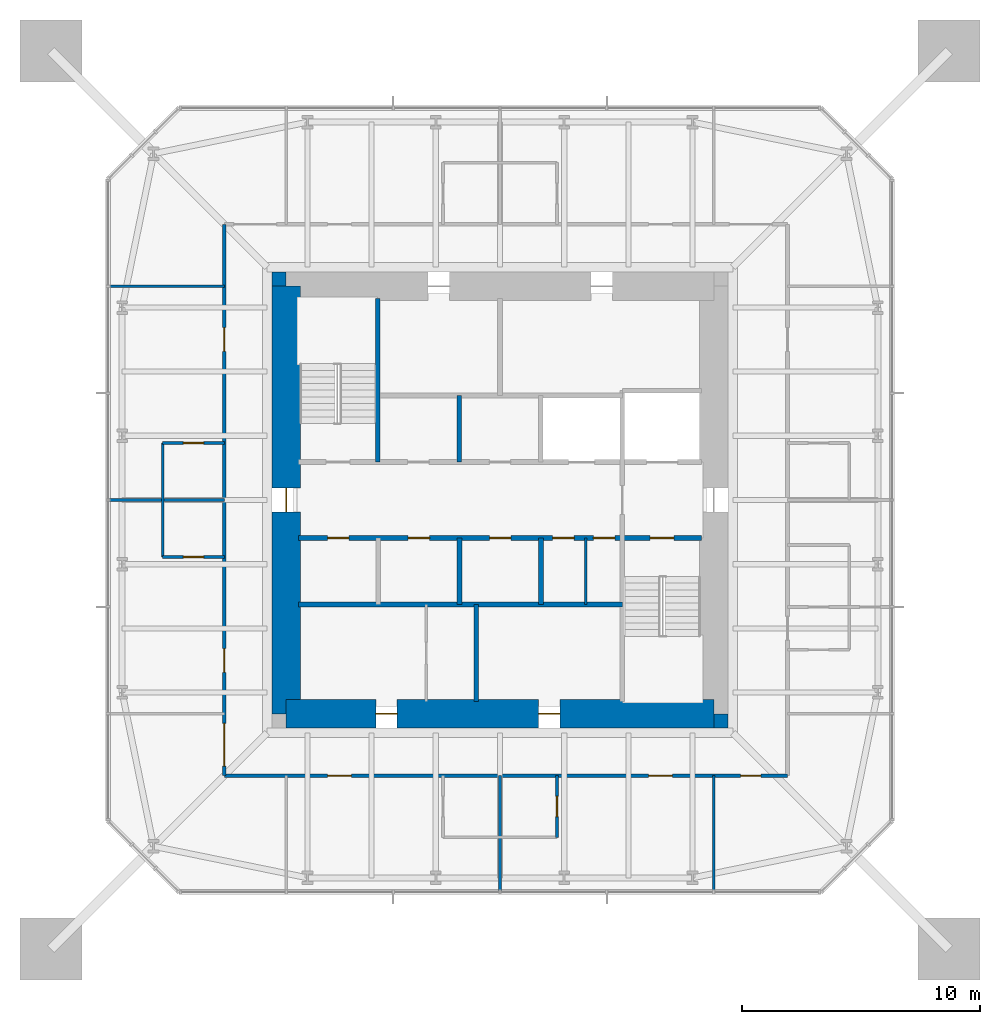
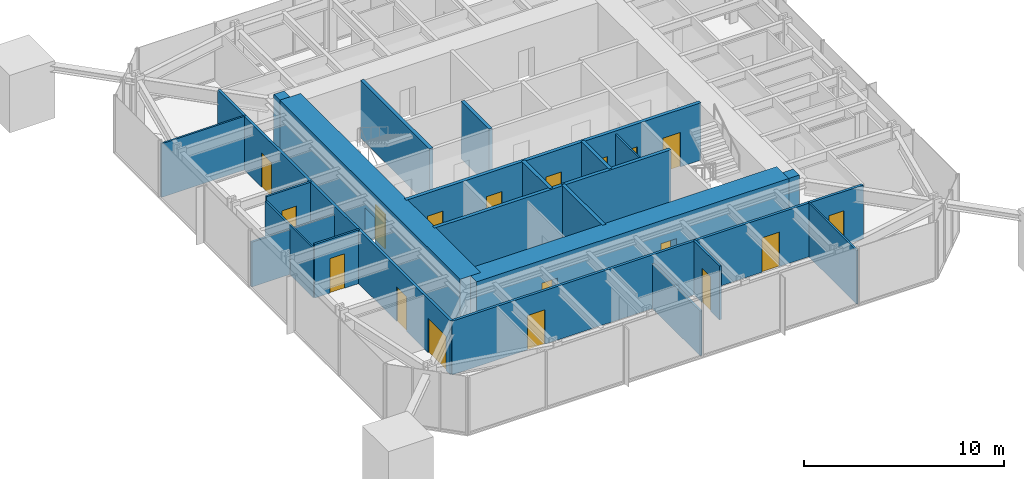
# One storey, part 6 of 9: 22 walls, 18 doors, 18 openings.
"""IFC4 building model written with IfcOpenShell, lengths in metres."""

from ifc_helpers import new_model, si_unit, direction, frame, frame_2d, origin, place, context, subcontext, project, spatial, rectangle, extrude, material, layer, layer_set, type_object, element, fill, save


model = new_model("IFC4")

# Units and contexts
model_context = context("Model", 3, precision=1e-05, world=origin(), true_north=direction((0.0, 1.0)))
body_context = subcontext(model_context, "Body", "Model", "MODEL_VIEW")
ifc_project = project(units=[si_unit("LENGTHUNIT", "METRE"), si_unit("AREAUNIT", "SQUARE_METRE"), si_unit("VOLUMEUNIT", "CUBIC_METRE"), si_unit("PLANEANGLEUNIT", "RADIAN"), si_unit("MASSUNIT", "GRAM", prefix="KILO")], contexts=[model_context])

# Site, building, storey
site_placement = place(None, origin())
site = spatial("IfcSite", under=ifc_project, at=site_placement, CompositionType="ELEMENT")
building_placement = place(site_placement, origin())
building = spatial("IfcBuilding", under=site, at=building_placement, Name="Iwan Alto Co-Living Towers", CompositionType="ELEMENT")
storey_placement = place(building_placement, frame((0.0, 0.0, 250.0)))
storey = spatial("IfcBuildingStorey", under=building, at=storey_placement, Name="L68", CompositionType="ELEMENT", Elevation=250.0)

# Wall, openings, doors
ifc_material_1 = material(Name="Gypsum board")
ifc_layer_1 = layer(ifc_material_1, 0.02490234375, Name="Board", Category="Finish")
ifc_material_2 = material(Name="Steel ASTM A1003 ST33H cold-formed studs", Category="steel")
ifc_layer_2 = layer(ifc_material_2, 0.10009765625, Name="Studs", Category="Framing")
ifc_layer_3 = layer(ifc_material_1, 0.02490234375, Name="Board", Category="Finish")
ifc_layer_set_1 = layer_set([ifc_layer_1, ifc_layer_2, ifc_layer_3], Name="CORRIDOR WALL 150")
wall_type_1 = type_object("IfcWallType", Name="CORRIDOR WALL 150", PredefinedType="PARTITIONING", material=ifc_layer_set_1)
wall_1_placement = place(storey_placement, frame((-11.60009765625, -11.60009765625, 0.0), z_axis=(0.0, 0.0, 1.0), x_axis=(1.0, 0.0, 0.0)))
wall_1 = element("IfcWall", 1, at=wall_1_placement, inside=storey, type_object=wall_type_1, Name="Partition L68", PredefinedType="PARTITIONING", context=body_context, shape_type="SweptSolid", body=[
    extrude(rectangle(XDim=23.7001953125, YDim=0.14990234375, at=frame_2d((11.85009765625, 0.0))), origin(), (0.0, 0.0, 1.0), 3.27001953125),
])
opening_1_placement = place(wall_1_placement, frame((4.35009765625, 0.0, 0.0)))
opening_1 = element("IfcOpeningElement", 2, at=opening_1_placement, cuts=wall_1, Name="Opening D3", PredefinedType="OPENING", context=body_context, shape_type="SweptSolid", body=[
    extrude(rectangle(XDim=1.0, YDim=2.10009765625, at=frame_2d((0.5, 1.050048828125))), frame((0.0, 0.0849609375, 0.0), z_axis=(0.0, -1.0, 0.0), x_axis=(1.0, 0.0, 0.0)), (0.0, 0.0, 1.0), 0.169921875),
])
opening_2_placement = place(wall_1_placement, frame((17.85009765625, 0.0, 0.0)))
opening_2 = element("IfcOpeningElement", 3, at=opening_2_placement, cuts=wall_1, Name="Opening D3", PredefinedType="OPENING", context=body_context, shape_type="SweptSolid", body=[
    extrude(rectangle(XDim=1.0, YDim=2.10009765625, at=frame_2d((0.5, 1.050048828125))), frame((0.0, 0.0849609375, 0.0), z_axis=(0.0, -1.0, 0.0), x_axis=(1.0, 0.0, 0.0)), (0.0, 0.0, 1.0), 0.169921875),
])
opening_3_placement = place(wall_1_placement, frame((21.72509765625, 0.0, 0.0)))
opening_3 = element("IfcOpeningElement", 4, at=opening_3_placement, cuts=wall_1, Name="Opening D2", PredefinedType="OPENING", context=body_context, shape_type="SweptSolid", body=[
    extrude(rectangle(XDim=0.85009765625, YDim=2.10009765625, at=frame_2d((0.425048828125, 1.050048828125))), frame((0.0, 0.0849609375, 0.0), z_axis=(0.0, -1.0, 0.0), x_axis=(1.0, 0.0, 0.0)), (0.0, 0.0, 1.0), 0.169921875),
])
ifc_material_3 = material(Name="Steel frame with timber leaf", Category="steel")
door_type_1 = type_object("IfcDoorType", Name="FLAT ENTRANCE DOOR FD30S 1000X2100", OperationType="SINGLE_SWING_LEFT", PredefinedType="DOOR", material=ifc_material_3)
door_1_placement = place(opening_1_placement, frame((1.0, 0.0, 0.0), z_axis=(0.0, 0.0, 1.0), x_axis=(-1.0, 0.0, 0.0)))
door_1 = element("IfcDoor", 5, at=door_1_placement, inside=storey, type_object=door_type_1, Name="Studio door L68", OperationType="SINGLE_SWING_RIGHT", OverallHeight=2.10009765625, OverallWidth=1.0, PredefinedType="DOOR", context=body_context, shape_type="SweptSolid", body=[
    extrude(rectangle(XDim=1.0, YDim=2.10009765625, at=frame_2d((0.5, 1.050048828125))), frame((0.0, 0.02490234375, 0.0), z_axis=(0.0, -1.0, 0.0), x_axis=(1.0, 0.0, 0.0)), (0.0, 0.0, 1.0), 0.050048828125),
])
fill(opening_1, door_1)
door_2_placement = place(opening_2_placement, frame((1.0, 0.0, 0.0), z_axis=(0.0, 0.0, 1.0), x_axis=(-1.0, 0.0, 0.0)))
door_2 = element("IfcDoor", 6, at=door_2_placement, inside=storey, type_object=door_type_1, Name="Studio door L68", OperationType="SINGLE_SWING_LEFT", OverallHeight=2.10009765625, OverallWidth=1.0, PredefinedType="DOOR", context=body_context, shape_type="SweptSolid", body=[
    extrude(rectangle(XDim=1.0, YDim=2.10009765625, at=frame_2d((0.5, 1.050048828125))), frame((0.0, 0.02490234375, 0.0), z_axis=(0.0, -1.0, 0.0), x_axis=(1.0, 0.0, 0.0)), (0.0, 0.0, 1.0), 0.050048828125),
])
fill(opening_2, door_2)
ifc_material_4 = material(Name="Timber leaf in steel frame", Category="steel")
door_type_2 = type_object("IfcDoorType", Name="ROOM DOOR 850X2100", OperationType="SINGLE_SWING_LEFT", PredefinedType="DOOR", material=ifc_material_4)
door_3_placement = place(opening_3_placement, frame((0.85009765625, 0.0, 0.0), z_axis=(0.0, 0.0, 1.0), x_axis=(-1.0, 0.0, 0.0)))
door_3 = element("IfcDoor", 7, at=door_3_placement, inside=storey, type_object=door_type_2, Name="Shared kitchen and lounge door L68", OperationType="SINGLE_SWING_RIGHT", OverallHeight=2.10009765625, OverallWidth=0.85009765625, PredefinedType="DOOR", context=body_context, shape_type="SweptSolid", body=[
    extrude(rectangle(XDim=0.85009765625, YDim=2.10009765625, at=frame_2d((0.425048828125, 1.050048828125))), frame((0.0, 0.02490234375, 0.0), z_axis=(0.0, -1.0, 0.0), x_axis=(1.0, 0.0, 0.0)), (0.0, 0.0, 1.0), 0.050048828125),
])
fill(opening_3, door_3)

wall_2_placement = place(storey_placement, frame((-11.60009765625, -11.60009765625, 0.0), z_axis=(0.0, 0.0, 1.0), x_axis=(0.0, 1.0, 0.0)))
wall_2 = element("IfcWall", 8, at=wall_2_placement, inside=storey, type_object=wall_type_1, Name="Partition L68", PredefinedType="PARTITIONING", context=body_context, shape_type="SweptSolid", body=[
    extrude(rectangle(XDim=23.2001953125, YDim=0.14990234375, at=frame_2d((11.60009765625, 0.0))), origin(), (0.0, 0.0, 1.0), 3.27001953125),
])
opening_4_placement = place(wall_2_placement, frame((17.85009765625, 0.0, 0.0)))
opening_4 = element("IfcOpeningElement", 9, at=opening_4_placement, cuts=wall_2, Name="Opening D3", PredefinedType="OPENING", context=body_context, shape_type="SweptSolid", body=[
    extrude(rectangle(XDim=1.0, YDim=2.10009765625, at=frame_2d((0.5, 1.050048828125))), frame((0.0, 0.0849609375, 0.0), z_axis=(0.0, -1.0, 0.0), x_axis=(1.0, 0.0, 0.0)), (0.0, 0.0, 1.0), 0.169921875),
])
opening_5_placement = place(wall_2_placement, frame((4.35009765625, 0.0, 0.0)))
opening_5 = element("IfcOpeningElement", 10, at=opening_5_placement, cuts=wall_2, Name="Opening D3", PredefinedType="OPENING", context=body_context, shape_type="SweptSolid", body=[
    extrude(rectangle(XDim=1.0, YDim=2.10009765625, at=frame_2d((0.5, 1.050048828125))), frame((0.0, 0.0849609375, 0.0), z_axis=(0.0, -1.0, 0.0), x_axis=(1.0, 0.0, 0.0)), (0.0, 0.0, 1.0), 0.169921875),
])
opening_6_placement = place(wall_2_placement, frame((0.39990234375, 0.0, 0.0)))
opening_6 = element("IfcOpeningElement", 11, at=opening_6_placement, cuts=wall_2, Name="Opening D9", PredefinedType="OPENING", context=body_context, shape_type="SweptSolid", body=[
    extrude(rectangle(XDim=1.800048828125, YDim=2.10009765625, at=frame_2d((0.89990234375, 1.050048828125))), frame((0.0, 0.0849609375, 0.0), z_axis=(0.0, -1.0, 0.0), x_axis=(1.0, 0.0, 0.0)), (0.0, 0.0, 1.0), 0.169921875),
])
door_4_placement = place(opening_4_placement, origin())
door_4 = element("IfcDoor", 12, at=door_4_placement, inside=storey, type_object=door_type_1, Name="Studio door L68", OperationType="SINGLE_SWING_RIGHT", OverallHeight=2.10009765625, OverallWidth=1.0, PredefinedType="DOOR", context=body_context, shape_type="SweptSolid", body=[
    extrude(rectangle(XDim=1.0, YDim=2.10009765625, at=frame_2d((0.5, 1.050048828125))), frame((0.0, 0.02490234375, 0.0), z_axis=(0.0, -1.0, 0.0), x_axis=(1.0, 0.0, 0.0)), (0.0, 0.0, 1.0), 0.050048828125),
])
fill(opening_4, door_4)
door_5_placement = place(opening_5_placement, origin())
door_5 = element("IfcDoor", 13, at=door_5_placement, inside=storey, type_object=door_type_1, Name="Studio door L68", OperationType="SINGLE_SWING_LEFT", OverallHeight=2.10009765625, OverallWidth=1.0, PredefinedType="DOOR", context=body_context, shape_type="SweptSolid", body=[
    extrude(rectangle(XDim=1.0, YDim=2.10009765625, at=frame_2d((0.5, 1.050048828125))), frame((0.0, 0.02490234375, 0.0), z_axis=(0.0, -1.0, 0.0), x_axis=(1.0, 0.0, 0.0)), (0.0, 0.0, 1.0), 0.050048828125),
])
fill(opening_5, door_5)
ifc_material_5 = material(Name="Steel frame with timber leaf", Category="steel")
door_type_3 = type_object("IfcDoorType", Name="LOUNGE DOOR FD30S 1800X2100", OperationType="DOUBLE_DOOR_SINGLE_SWING", PredefinedType="DOOR", material=ifc_material_5)
door_6_placement = place(opening_6_placement, origin())
door_6 = element("IfcDoor", 14, at=door_6_placement, inside=storey, type_object=door_type_3, Name="Courtyard lounge door L68", OperationType="DOUBLE_DOOR_SINGLE_SWING", OverallHeight=2.10009765625, OverallWidth=1.800048828125, PredefinedType="DOOR", context=body_context, shape_type="SweptSolid", body=[
    extrude(rectangle(XDim=1.800048828125, YDim=2.10009765625, at=frame_2d((0.89990234375, 1.050048828125))), frame((0.0, 0.02490234375, 0.0), z_axis=(0.0, -1.0, 0.0), x_axis=(1.0, 0.0, 0.0)), (0.0, 0.0, 1.0), 0.050048828125),
])
fill(opening_6, door_6)

# Walls
ifc_layer_4 = layer(ifc_material_1, 0.012451171875, Name="Board", Category="Finish")
ifc_layer_5 = layer(ifc_material_2, 0.074951171875, Name="Studs", Category="Framing")
ifc_layer_6 = layer(ifc_material_1, 0.012451171875, Name="Board", Category="Finish")
ifc_layer_set_2 = layer_set([ifc_layer_4, ifc_layer_5, ifc_layer_6], Name="PARTITION 100")
wall_type_2 = type_object("IfcWallType", Name="PARTITION 100", PredefinedType="PARTITIONING", material=ifc_layer_set_2)
for number, where, z_axis, x_axis, name in (
    (15, (-16.43994140625, 9.0, 0.0), (0.0, 0.0, 1.0), (1.0, 0.0, 0.0), "Partition L68"),
    (16, (9.0, -16.43994140625, 0.0), (0.0, 0.0, 1.0), (0.0, 1.0, 0.0), "Partition L68"),
):
    element("IfcWall", number, at=place(storey_placement, frame(where, z_axis=z_axis, x_axis=x_axis)), inside=storey, type_object=wall_type_2, Name=name, PredefinedType="PARTITIONING", context=body_context, shape_type="SweptSolid", body=[
        extrude(rectangle(XDim=4.83984375, YDim=0.10009765625, at=frame_2d((2.419921875, 0.0))), origin(), (0.0, 0.0, 1.0), 3.27001953125),
    ])
wall_3_placement = place(storey_placement, frame((3.60888671875, -4.39990234375, 0.0), z_axis=(0.0, 0.0, 1.0), x_axis=(0.0, 1.0, 0.0)))
element("IfcWall", 17, at=wall_3_placement, inside=storey, type_object=wall_type_2, Name="Partition L68", PredefinedType="PARTITIONING", context=body_context, shape_type="SweptSolid", body=[
    extrude(rectangle(XDim=2.7998046875, YDim=0.10009765625, at=frame_2d((1.39990234375, 0.0))), origin(), (0.0, 0.0, 1.0), 3.300048828125),
])
wall_4_placement = place(storey_placement, frame((-14.199951171875, -2.39990234375, 0.0), z_axis=(0.0, 0.0, 1.0), x_axis=(0.0, 1.0, 0.0)))
element("IfcWall", 18, at=wall_4_placement, inside=storey, type_object=wall_type_2, Name="Partition L68", PredefinedType="PARTITIONING", context=body_context, shape_type="SweptSolid", body=[
    extrude(rectangle(XDim=4.7998046875, YDim=0.10009765625, at=frame_2d((2.39990234375, 0.0))), origin(), (0.0, 0.0, 1.0), 3.0),
])
ifc_material_6 = material(Name="Concrete f'c 70 MPa", Category="concrete")
ifc_layer_7 = layer(ifc_material_6, 0.199951171875)
ifc_layer_set_3 = layer_set([ifc_layer_7], Name="SHAFT WALL 200")
wall_type_3 = type_object("IfcWallType", Name="SHAFT WALL 200", PredefinedType="SOLIDWALL", material=ifc_layer_set_3)
wall_5_placement = place(storey_placement, frame((-8.489990234375, -4.39990234375, 0.0), z_axis=(0.0, 0.0, 1.0), x_axis=(1.0, 0.0, 0.0)))
element("IfcWall", 19, at=wall_5_placement, inside=storey, type_object=wall_type_3, Name="Shaft wall L68", PredefinedType="SOLIDWALL", context=body_context, shape_type="SweptSolid", body=[
    extrude(rectangle(XDim=13.639892578125, YDim=0.199951171875, at=frame_2d((6.81982421875, 0.0))), origin(), (0.0, 0.0, 1.0), 3.5),
])

# Wall, openings, doors
wall_6_placement = place(storey_placement, frame((-8.489990234375, -1.60009765625, 0.0), z_axis=(0.0, 0.0, 1.0), x_axis=(1.0, 0.0, 0.0)))
wall_6 = element("IfcWall", 20, at=wall_6_placement, inside=storey, type_object=wall_type_3, Name="Shaft wall L68", PredefinedType="SOLIDWALL", context=body_context, shape_type="SweptSolid", body=[
    extrude(rectangle(XDim=16.97998046875, YDim=0.199951171875, at=frame_2d((8.489990234375, 0.0))), origin(), (0.0, 0.0, 1.0), 3.5),
])
opening_7_placement = place(wall_6_placement, frame((14.81005859375, 0.0, 0.0)))
opening_7 = element("IfcOpeningElement", 21, at=opening_7_placement, cuts=wall_6, Name="Opening D5", PredefinedType="OPENING", context=body_context, shape_type="SweptSolid", body=[
    extrude(rectangle(XDim=1.0, YDim=2.10009765625, at=frame_2d((0.5, 1.050048828125))), frame((0.0, 0.10986328125, 0.0), z_axis=(0.0, -1.0, 0.0), x_axis=(1.0, 0.0, 0.0)), (0.0, 0.0, 1.0), 0.219970703125),
])
opening_8_placement = place(wall_6_placement, frame((1.23193359375, 0.0, 0.0)))
opening_8 = element("IfcOpeningElement", 22, at=opening_8_placement, cuts=wall_6, Name="Opening D15", PredefinedType="OPENING", context=body_context, shape_type="SweptSolid", body=[
    extrude(rectangle(XDim=0.89990234375, YDim=2.10009765625, at=frame_2d((0.449951171875, 1.050048828125))), frame((0.0, 0.10986328125, 0.0), z_axis=(0.0, -1.0, 0.0), x_axis=(1.0, 0.0, 0.0)), (0.0, 0.0, 1.0), 0.219970703125),
])
opening_9_placement = place(wall_6_placement, frame((4.626953125, 0.0, 0.0)))
opening_9 = element("IfcOpeningElement", 23, at=opening_9_placement, cuts=wall_6, Name="Opening D15", PredefinedType="OPENING", context=body_context, shape_type="SweptSolid", body=[
    extrude(rectangle(XDim=0.89990234375, YDim=2.10009765625, at=frame_2d((0.449951171875, 1.050048828125))), frame((0.0, 0.10986328125, 0.0), z_axis=(0.0, -1.0, 0.0), x_axis=(1.0, 0.0, 0.0)), (0.0, 0.0, 1.0), 0.219970703125),
])
opening_10_placement = place(wall_6_placement, frame((8.052001953125, 0.0, 0.0)))
opening_10 = element("IfcOpeningElement", 24, at=opening_10_placement, cuts=wall_6, Name="Opening D15", PredefinedType="OPENING", context=body_context, shape_type="SweptSolid", body=[
    extrude(rectangle(XDim=0.89990234375, YDim=2.10009765625, at=frame_2d((0.449951171875, 1.050048828125))), frame((0.0, 0.10986328125, 0.0), z_axis=(0.0, -1.0, 0.0), x_axis=(1.0, 0.0, 0.0)), (0.0, 0.0, 1.0), 0.219970703125),
])
opening_11_placement = place(wall_6_placement, frame((12.419921875, 0.0, 0.0)))
opening_11 = element("IfcOpeningElement", 25, at=opening_11_placement, cuts=wall_6, Name="Opening D15", PredefinedType="OPENING", context=body_context, shape_type="SweptSolid", body=[
    extrude(rectangle(XDim=0.89990234375, YDim=2.10009765625, at=frame_2d((0.449951171875, 1.050048828125))), frame((0.0, 0.10986328125, 0.0), z_axis=(0.0, -1.0, 0.0), x_axis=(1.0, 0.0, 0.0)), (0.0, 0.0, 1.0), 0.219970703125),
])
opening_12_placement = place(wall_6_placement, frame((10.70703125, 0.0, 0.0)))
opening_12 = element("IfcOpeningElement", 26, at=opening_12_placement, cuts=wall_6, Name="Opening D15", PredefinedType="OPENING", context=body_context, shape_type="SweptSolid", body=[
    extrude(rectangle(XDim=0.89990234375, YDim=2.10009765625, at=frame_2d((0.449951171875, 1.050048828125))), frame((0.0, 0.10986328125, 0.0), z_axis=(0.0, -1.0, 0.0), x_axis=(1.0, 0.0, 0.0)), (0.0, 0.0, 1.0), 0.219970703125),
])
ifc_material_7 = material(Name="Steel frame with timber leaf", Category="steel")
door_type_4 = type_object("IfcDoorType", Name="CORE ROOM DOOR FD60S 900X2100", OperationType="SINGLE_SWING_LEFT", PredefinedType="DOOR", material=ifc_material_7)
door_7_placement = place(opening_8_placement, frame((0.89990234375, 0.0, 0.0), z_axis=(0.0, 0.0, 1.0), x_axis=(-1.0, 0.0, 0.0)))
door_7 = element("IfcDoor", 27, at=door_7_placement, inside=storey, type_object=door_type_4, Name="Vending and ice room door L68", OperationType="SINGLE_SWING_LEFT", OverallHeight=2.10009765625, OverallWidth=0.89990234375, PredefinedType="DOOR", context=body_context, shape_type="SweptSolid", body=[
    extrude(rectangle(XDim=0.89990234375, YDim=2.10009765625, at=frame_2d((0.449951171875, 1.050048828125))), frame((0.0, 0.02490234375, 0.0), z_axis=(0.0, -1.0, 0.0), x_axis=(1.0, 0.0, 0.0)), (0.0, 0.0, 1.0), 0.050048828125),
])
fill(opening_8, door_7)
door_8_placement = place(opening_9_placement, frame((0.89990234375, 0.0, 0.0), z_axis=(0.0, 0.0, 1.0), x_axis=(-1.0, 0.0, 0.0)))
door_8 = element("IfcDoor", 28, at=door_8_placement, inside=storey, type_object=door_type_4, Name="Staff WC door L68", OperationType="SINGLE_SWING_RIGHT", OverallHeight=2.10009765625, OverallWidth=0.89990234375, PredefinedType="DOOR", context=body_context, shape_type="SweptSolid", body=[
    extrude(rectangle(XDim=0.89990234375, YDim=2.10009765625, at=frame_2d((0.449951171875, 1.050048828125))), frame((0.0, 0.02490234375, 0.0), z_axis=(0.0, -1.0, 0.0), x_axis=(1.0, 0.0, 0.0)), (0.0, 0.0, 1.0), 0.050048828125),
])
fill(opening_9, door_8)
door_9_placement = place(opening_10_placement, frame((0.89990234375, 0.0, 0.0), z_axis=(0.0, 0.0, 1.0), x_axis=(-1.0, 0.0, 0.0)))
door_9 = element("IfcDoor", 29, at=door_9_placement, inside=storey, type_object=door_type_4, Name="Comms room door L68", OperationType="SINGLE_SWING_RIGHT", OverallHeight=2.10009765625, OverallWidth=0.89990234375, PredefinedType="DOOR", context=body_context, shape_type="SweptSolid", body=[
    extrude(rectangle(XDim=0.89990234375, YDim=2.10009765625, at=frame_2d((0.449951171875, 1.050048828125))), frame((0.0, 0.02490234375, 0.0), z_axis=(0.0, -1.0, 0.0), x_axis=(1.0, 0.0, 0.0)), (0.0, 0.0, 1.0), 0.050048828125),
])
fill(opening_10, door_9)
door_10_placement = place(opening_11_placement, frame((0.89990234375, 0.0, 0.0), z_axis=(0.0, 0.0, 1.0), x_axis=(-1.0, 0.0, 0.0)))
door_10 = element("IfcDoor", 30, at=door_10_placement, inside=storey, type_object=door_type_4, Name="IT room door L68", OperationType="SINGLE_SWING_RIGHT", OverallHeight=2.10009765625, OverallWidth=0.89990234375, PredefinedType="DOOR", context=body_context, shape_type="SweptSolid", body=[
    extrude(rectangle(XDim=0.89990234375, YDim=2.10009765625, at=frame_2d((0.449951171875, 1.050048828125))), frame((0.0, 0.02490234375, 0.0), z_axis=(0.0, -1.0, 0.0), x_axis=(1.0, 0.0, 0.0)), (0.0, 0.0, 1.0), 0.050048828125),
])
fill(opening_11, door_10)
door_11_placement = place(opening_12_placement, frame((0.89990234375, 0.0, 0.0), z_axis=(0.0, 0.0, 1.0), x_axis=(-1.0, 0.0, 0.0)))
door_11 = element("IfcDoor", 31, at=door_11_placement, inside=storey, type_object=door_type_4, Name="Vending and ice room door L68", OperationType="SINGLE_SWING_RIGHT", OverallHeight=2.10009765625, OverallWidth=0.89990234375, PredefinedType="DOOR", context=body_context, shape_type="SweptSolid", body=[
    extrude(rectangle(XDim=0.89990234375, YDim=2.10009765625, at=frame_2d((0.449951171875, 1.050048828125))), frame((0.0, 0.02490234375, 0.0), z_axis=(0.0, -1.0, 0.0), x_axis=(1.0, 0.0, 0.0)), (0.0, 0.0, 1.0), 0.050048828125),
])
fill(opening_12, door_11)
ifc_material_8 = material(Name="Steel frame with timber leaf", Category="steel")
door_type_5 = type_object("IfcDoorType", Name="STAIR DOOR FD120S 1000X2100", OperationType="SINGLE_SWING_LEFT", PredefinedType="DOOR", material=ifc_material_8)
door_12_placement = place(opening_7_placement, frame((1.0, 0.0, 0.0), z_axis=(0.0, 0.0, 1.0), x_axis=(-1.0, 0.0, 0.0)))
door_12 = element("IfcDoor", 32, at=door_12_placement, inside=storey, type_object=door_type_5, Name="Stair S2 door L68", OperationType="SINGLE_SWING_RIGHT", OverallHeight=2.10009765625, OverallWidth=1.0, PredefinedType="DOOR", context=body_context, shape_type="SweptSolid", body=[
    extrude(rectangle(XDim=1.0, YDim=2.10009765625, at=frame_2d((0.5, 1.050048828125))), frame((0.0, 0.02490234375, 0.0), z_axis=(0.0, -1.0, 0.0), x_axis=(1.0, 0.0, 0.0)), (0.0, 0.0, 1.0), 0.050048828125),
])
fill(opening_7, door_12)

# Walls
wall_7_placement = place(storey_placement, frame((1.72509765625, -4.39990234375, 0.0), z_axis=(0.0, 0.0, 1.0), x_axis=(0.0, 1.0, 0.0)))
element("IfcWall", 33, at=wall_7_placement, inside=storey, type_object=wall_type_3, Name="Shaft wall L68", PredefinedType="SOLIDWALL", context=body_context, shape_type="SweptSolid", body=[
    extrude(rectangle(XDim=2.7998046875, YDim=0.199951171875, at=frame_2d((1.39990234375, 0.0))), origin(), (0.0, 0.0, 1.0), 3.5),
])
wall_8_placement = place(storey_placement, frame((-1.0, -8.489990234375, 0.0), z_axis=(0.0, 0.0, 1.0), x_axis=(0.0, 1.0, 0.0)))
element("IfcWall", 34, at=wall_8_placement, inside=storey, type_object=wall_type_3, Name="Shaft wall L68", PredefinedType="SOLIDWALL", context=body_context, shape_type="SweptSolid", body=[
    extrude(rectangle(XDim=4.090087890625, YDim=0.199951171875, at=frame_2d((2.044921875, 0.0))), origin(), (0.0, 0.0, 1.0), 3.5),
])
for number, where, z_axis, x_axis, name in (
    (35, (-1.699951171875, -4.39990234375, 0.0), (0.0, 0.0, 1.0), (0.0, 1.0, 0.0), "Shaft wall L68"),
    (36, (-1.717041015625, 1.60009765625, 0.0), (0.0, 0.0, 1.0), (0.0, 1.0, 0.0), "Shaft wall L68"),
):
    element("IfcWall", number, at=place(storey_placement, frame(where, z_axis=z_axis, x_axis=x_axis)), inside=storey, type_object=wall_type_3, Name=name, PredefinedType="SOLIDWALL", context=body_context, shape_type="SweptSolid", body=[
        extrude(rectangle(XDim=2.7998046875, YDim=0.199951171875, at=frame_2d((1.39990234375, 0.0))), origin(), (0.0, 0.0, 1.0), 3.5),
    ])
wall_9_placement = place(storey_placement, frame((-5.14990234375, 1.60009765625, 0.0), z_axis=(0.0, 0.0, 1.0), x_axis=(0.0, 1.0, 0.0)))
element("IfcWall", 37, at=wall_9_placement, inside=storey, type_object=wall_type_3, Name="Shaft wall L68", PredefinedType="SOLIDWALL", context=body_context, shape_type="SweptSolid", body=[
    extrude(rectangle(XDim=6.889892578125, YDim=0.199951171875, at=frame_2d((3.44482421875, 0.0))), origin(), (0.0, 0.0, 1.0), 3.5),
])
ifc_material_9 = material(Name="Concrete f'c 70 MPa", Category="concrete")
ifc_layer_8 = layer(ifc_material_9, 0.60009765625)
ifc_layer_set_4 = layer_set([ifc_layer_8], Name="T1 CORE CORNER FILL 600")
wall_type_4 = type_object("IfcWallType", Name="T1 CORE CORNER FILL 600", PredefinedType="SOLIDWALL", material=ifc_layer_set_4)
for number, where, z_axis, x_axis, name in (
    (38, (9.0, -9.300048828125, 0.0), (0.0, 0.0, 1.0), (1.0, 0.0, 0.0), "T1 core corner SE L68"),
    (39, (-9.60009765625, 9.300048828125, 0.0), (0.0, 0.0, 1.0), (1.0, 0.0, 0.0), "T1 core corner NW L68"),
):
    element("IfcWall", number, at=place(storey_placement, frame(where, z_axis=z_axis, x_axis=x_axis)), inside=storey, type_object=wall_type_4, Name=name, PredefinedType="SOLIDWALL", context=body_context, shape_type="SweptSolid", body=[
        extrude(rectangle(XDim=0.60009765625, YDim=0.60009765625, at=frame_2d((0.300048828125, 0.0))), origin(), (0.0, 0.0, 1.0), 3.5),
    ])

# Wall, openings, doors
ifc_material_10 = material(Name="Concrete f'c 70 MPa", Category="concrete")
ifc_layer_9 = layer(ifc_material_10, 1.199951171875)
ifc_layer_set_5 = layer_set([ifc_layer_9], Name="T1 CORE WALL 1200")
wall_type_5 = type_object("IfcWallType", Name="T1 CORE WALL 1200", PredefinedType="SHEAR", material=ifc_layer_set_5)
wall_10_placement = place(storey_placement, frame((-9.0, -9.0, 0.0), z_axis=(0.0, 0.0, 1.0), x_axis=(1.0, 0.0, 0.0)))
wall_10 = element("IfcWall", 40, at=wall_10_placement, inside=storey, type_object=wall_type_5, Name="T1 core wall S L68", PredefinedType="SHEAR", context=body_context, shape_type="SweptSolid", body=[
    extrude(rectangle(XDim=18.0, YDim=1.199951171875, at=frame_2d((9.0, 0.0))), origin(), (0.0, 0.0, 1.0), 3.5),
])
opening_13_placement = place(wall_10_placement, frame((3.77490234375, 0.0, 0.0)))
opening_13 = element("IfcOpeningElement", 41, at=opening_13_placement, cuts=wall_10, Name="Opening D8", PredefinedType="OPENING", context=body_context, shape_type="SweptSolid", body=[
    extrude(rectangle(XDim=0.89990234375, YDim=2.10009765625, at=frame_2d((0.449951171875, 1.050048828125))), frame((0.0, 0.60986328125, 0.0), z_axis=(0.0, -1.0, 0.0), x_axis=(1.0, 0.0, 0.0)), (0.0, 0.0, 1.0), 1.219970703125),
])
opening_14_placement = place(wall_10_placement, frame((10.625, 0.0, 0.0)))
opening_14 = element("IfcOpeningElement", 42, at=opening_14_placement, cuts=wall_10, Name="Opening D8", PredefinedType="OPENING", context=body_context, shape_type="SweptSolid", body=[
    extrude(rectangle(XDim=0.89990234375, YDim=2.10009765625, at=frame_2d((0.449951171875, 1.050048828125))), frame((0.0, 0.60986328125, 0.0), z_axis=(0.0, -1.0, 0.0), x_axis=(1.0, 0.0, 0.0)), (0.0, 0.0, 1.0), 1.219970703125),
])
ifc_material_11 = material(Name="Steel frame with timber leaf", Category="steel")
door_type_6 = type_object("IfcDoorType", Name="RISER DOOR FD120 900X2100", OperationType="SINGLE_SWING_LEFT", PredefinedType="DOOR", material=ifc_material_11)
door_13_placement = place(opening_13_placement, origin())
door_13 = element("IfcDoor", 43, at=door_13_placement, inside=storey, type_object=door_type_6, Name="Refuse room core door L68", OperationType="SINGLE_SWING_RIGHT", OverallHeight=2.10009765625, OverallWidth=0.89990234375, PredefinedType="DOOR", context=body_context, shape_type="SweptSolid", body=[
    extrude(rectangle(XDim=0.89990234375, YDim=2.10009765625, at=frame_2d((0.449951171875, 1.050048828125))), frame((0.0, 0.02490234375, 0.0), z_axis=(0.0, -1.0, 0.0), x_axis=(1.0, 0.0, 0.0)), (0.0, 0.0, 1.0), 0.050048828125),
])
fill(opening_13, door_13)
door_14_placement = place(opening_14_placement, origin())
door_14 = element("IfcDoor", 44, at=door_14_placement, inside=storey, type_object=door_type_6, Name="Telecom riser core door L68", OperationType="SINGLE_SWING_LEFT", OverallHeight=2.10009765625, OverallWidth=0.89990234375, PredefinedType="DOOR", context=body_context, shape_type="SweptSolid", body=[
    extrude(rectangle(XDim=0.89990234375, YDim=2.10009765625, at=frame_2d((0.449951171875, 1.050048828125))), frame((0.0, 0.02490234375, 0.0), z_axis=(0.0, -1.0, 0.0), x_axis=(1.0, 0.0, 0.0)), (0.0, 0.0, 1.0), 0.050048828125),
])
fill(opening_14, door_14)

# Wall, opening, door
wall_11_placement = place(storey_placement, frame((-9.0, 9.0, 0.0), z_axis=(0.0, 0.0, 1.0), x_axis=(0.0, -1.0, 0.0)))
wall_11 = element("IfcWall", 45, at=wall_11_placement, inside=storey, type_object=wall_type_5, Name="T1 core wall W L68", PredefinedType="SHEAR", context=body_context, shape_type="SweptSolid", body=[
    extrude(rectangle(XDim=18.0, YDim=1.199951171875, at=frame_2d((9.0, 0.0))), origin(), (0.0, 0.0, 1.0), 3.5),
])
opening_15_placement = place(wall_11_placement, frame((8.5, 0.0, 0.0)))
opening_15 = element("IfcOpeningElement", 46, at=opening_15_placement, cuts=wall_11, Name="Opening D7", PredefinedType="OPENING", context=body_context, shape_type="SweptSolid", body=[
    extrude(rectangle(XDim=1.0, YDim=2.10009765625, at=frame_2d((0.5, 1.050048828125))), frame((0.0, 0.60986328125, 0.0), z_axis=(0.0, -1.0, 0.0), x_axis=(1.0, 0.0, 0.0)), (0.0, 0.0, 1.0), 1.219970703125),
])
ifc_material_12 = material(Name="Steel frame with timber leaf", Category="steel")
door_type_7 = type_object("IfcDoorType", Name="CORE DOOR FD120S 1000X2100", OperationType="SINGLE_SWING_LEFT", PredefinedType="DOOR", material=ifc_material_12)
door_15_placement = place(opening_15_placement, origin())
door_15 = element("IfcDoor", 47, at=door_15_placement, inside=storey, type_object=door_type_7, Name="Lift lobby core door L68", OperationType="SINGLE_SWING_RIGHT", OverallHeight=2.10009765625, OverallWidth=1.0, PredefinedType="DOOR", context=body_context, shape_type="SweptSolid", body=[
    extrude(rectangle(XDim=1.0, YDim=2.10009765625, at=frame_2d((0.5, 1.050048828125))), frame((0.0, 0.02490234375, 0.0), z_axis=(0.0, -1.0, 0.0), x_axis=(1.0, 0.0, 0.0)), (0.0, 0.0, 1.0), 0.050048828125),
])
fill(opening_15, door_15)

ifc_material_13 = material(Name="Cement board")
ifc_layer_10 = layer(ifc_material_13, 0.012451171875, Name="Board", Category="Finish")
ifc_layer_11 = layer(ifc_material_2, 0.094970703125, Name="Studs", Category="Framing")
ifc_layer_12 = layer(ifc_material_13, 0.012451171875, Name="Board", Category="Finish")
ifc_layer_set_6 = layer_set([ifc_layer_10, ifc_layer_11, ifc_layer_12], Name="WET AREA PARTITION 120")
wall_type_6 = type_object("IfcWallType", Name="WET AREA PARTITION 120", PredefinedType="PARTITIONING", material=ifc_layer_set_6)
wall_12_placement = place(storey_placement, frame((-14.199951171875, -2.39990234375, 0.0), z_axis=(0.0, 0.0, 1.0), x_axis=(1.0, 0.0, 0.0)))
wall_12 = element("IfcWall", 48, at=wall_12_placement, inside=storey, type_object=wall_type_6, Name="Partition L68", PredefinedType="PARTITIONING", context=body_context, shape_type="SweptSolid", body=[
    extrude(rectangle(XDim=2.599853515625, YDim=0.1201171875, at=frame_2d((1.2998046875, 0.0))), origin(), (0.0, 0.0, 1.0), 3.27001953125),
])
opening_16_placement = place(wall_12_placement, frame((0.875, 0.0, 0.0)))
opening_16 = element("IfcOpeningElement", 49, at=opening_16_placement, cuts=wall_12, Name="Opening D2", PredefinedType="OPENING", context=body_context, shape_type="SweptSolid", body=[
    extrude(rectangle(XDim=0.85009765625, YDim=2.10009765625, at=frame_2d((0.425048828125, 1.050048828125))), frame((0.0, 0.070068359375, 0.0), z_axis=(0.0, -1.0, 0.0), x_axis=(1.0, 0.0, 0.0)), (0.0, 0.0, 1.0), 0.14013671875),
])
door_16_placement = place(opening_16_placement, frame((0.85009765625, 0.0, 0.0), z_axis=(0.0, 0.0, 1.0), x_axis=(-1.0, 0.0, 0.0)))
door_16 = element("IfcDoor", 50, at=door_16_placement, inside=storey, type_object=door_type_2, Name="En-suite shower room door L68", OperationType="SINGLE_SWING_LEFT", OverallHeight=2.10009765625, OverallWidth=0.85009765625, PredefinedType="DOOR", context=body_context, shape_type="SweptSolid", body=[
    extrude(rectangle(XDim=0.85009765625, YDim=2.10009765625, at=frame_2d((0.425048828125, 1.050048828125))), frame((0.0, 0.02490234375, 0.0), z_axis=(0.0, -1.0, 0.0), x_axis=(1.0, 0.0, 0.0)), (0.0, 0.0, 1.0), 0.050048828125),
])
fill(opening_16, door_16)

# Wall
wall_13_placement = place(storey_placement, frame((-16.43994140625, 0.0, 0.0), z_axis=(0.0, 0.0, 1.0), x_axis=(1.0, 0.0, 0.0)))
element("IfcWall", 51, at=wall_13_placement, inside=storey, type_object=wall_type_6, Name="Partition L68", PredefinedType="PARTITIONING", context=body_context, shape_type="SweptSolid", body=[
    extrude(rectangle(XDim=4.83984375, YDim=0.1201171875, at=frame_2d((2.419921875, 0.0))), origin(), (0.0, 0.0, 1.0), 2.736572265625),
])

# Wall, opening, door
wall_14_placement = place(storey_placement, frame((-14.199951171875, 2.39990234375, 0.0), z_axis=(0.0, 0.0, 1.0), x_axis=(1.0, 0.0, 0.0)))
wall_14 = element("IfcWall", 52, at=wall_14_placement, inside=storey, type_object=wall_type_6, Name="Partition L68", PredefinedType="PARTITIONING", context=body_context, shape_type="SweptSolid", body=[
    extrude(rectangle(XDim=2.599853515625, YDim=0.1201171875, at=frame_2d((1.2998046875, 0.0))), origin(), (0.0, 0.0, 1.0), 3.27001953125),
])
opening_17_placement = place(wall_14_placement, frame((0.875, 0.0, 0.0)))
opening_17 = element("IfcOpeningElement", 53, at=opening_17_placement, cuts=wall_14, Name="Opening D2", PredefinedType="OPENING", context=body_context, shape_type="SweptSolid", body=[
    extrude(rectangle(XDim=0.85009765625, YDim=2.10009765625, at=frame_2d((0.425048828125, 1.050048828125))), frame((0.0, 0.070068359375, 0.0), z_axis=(0.0, -1.0, 0.0), x_axis=(1.0, 0.0, 0.0)), (0.0, 0.0, 1.0), 0.14013671875),
])
door_17_placement = place(opening_17_placement, origin())
door_17 = element("IfcDoor", 54, at=door_17_placement, inside=storey, type_object=door_type_2, Name="En-suite shower room door L68", OperationType="SINGLE_SWING_RIGHT", OverallHeight=2.10009765625, OverallWidth=0.85009765625, PredefinedType="DOOR", context=body_context, shape_type="SweptSolid", body=[
    extrude(rectangle(XDim=0.85009765625, YDim=2.10009765625, at=frame_2d((0.425048828125, 1.050048828125))), frame((0.0, 0.02490234375, 0.0), z_axis=(0.0, -1.0, 0.0), x_axis=(1.0, 0.0, 0.0)), (0.0, 0.0, 1.0), 0.050048828125),
])
fill(opening_17, door_17)

wall_15_placement = place(storey_placement, frame((2.39990234375, -14.199951171875, 0.0), z_axis=(0.0, 0.0, 1.0), x_axis=(0.0, 1.0, 0.0)))
wall_15 = element("IfcWall", 55, at=wall_15_placement, inside=storey, type_object=wall_type_6, Name="Partition L68", PredefinedType="PARTITIONING", context=body_context, shape_type="SweptSolid", body=[
    extrude(rectangle(XDim=2.599853515625, YDim=0.1201171875, at=frame_2d((1.2998046875, 0.0))), origin(), (0.0, 0.0, 1.0), 3.27001953125),
])
opening_18_placement = place(wall_15_placement, frame((0.875, 0.0, 0.0)))
opening_18 = element("IfcOpeningElement", 56, at=opening_18_placement, cuts=wall_15, Name="Opening D2", PredefinedType="OPENING", context=body_context, shape_type="SweptSolid", body=[
    extrude(rectangle(XDim=0.85009765625, YDim=2.10009765625, at=frame_2d((0.425048828125, 1.050048828125))), frame((0.0, 0.070068359375, 0.0), z_axis=(0.0, -1.0, 0.0), x_axis=(1.0, 0.0, 0.0)), (0.0, 0.0, 1.0), 0.14013671875),
])
door_18_placement = place(opening_18_placement, frame((0.85009765625, 0.0, 0.0), z_axis=(0.0, 0.0, 1.0), x_axis=(-1.0, 0.0, 0.0)))
door_18 = element("IfcDoor", 57, at=door_18_placement, inside=storey, type_object=door_type_2, Name="En-suite shower room door L68", OperationType="SINGLE_SWING_LEFT", OverallHeight=2.10009765625, OverallWidth=0.85009765625, PredefinedType="DOOR", context=body_context, shape_type="SweptSolid", body=[
    extrude(rectangle(XDim=0.85009765625, YDim=2.10009765625, at=frame_2d((0.425048828125, 1.050048828125))), frame((0.0, 0.02490234375, 0.0), z_axis=(0.0, -1.0, 0.0), x_axis=(1.0, 0.0, 0.0)), (0.0, 0.0, 1.0), 0.050048828125),
])
fill(opening_18, door_18)

# Wall
wall_16_placement = place(storey_placement, frame((0.0, -16.43994140625, 0.0), z_axis=(0.0, 0.0, 1.0), x_axis=(0.0, 1.0, 0.0)))
element("IfcWall", 58, at=wall_16_placement, inside=storey, type_object=wall_type_6, Name="Partition L68", PredefinedType="PARTITIONING", context=body_context, shape_type="SweptSolid", body=[
    extrude(rectangle(XDim=4.83984375, YDim=0.1201171875, at=frame_2d((2.419921875, 0.0))), origin(), (0.0, 0.0, 1.0), 2.736572265625),
])

save(model, "model.ifc")
